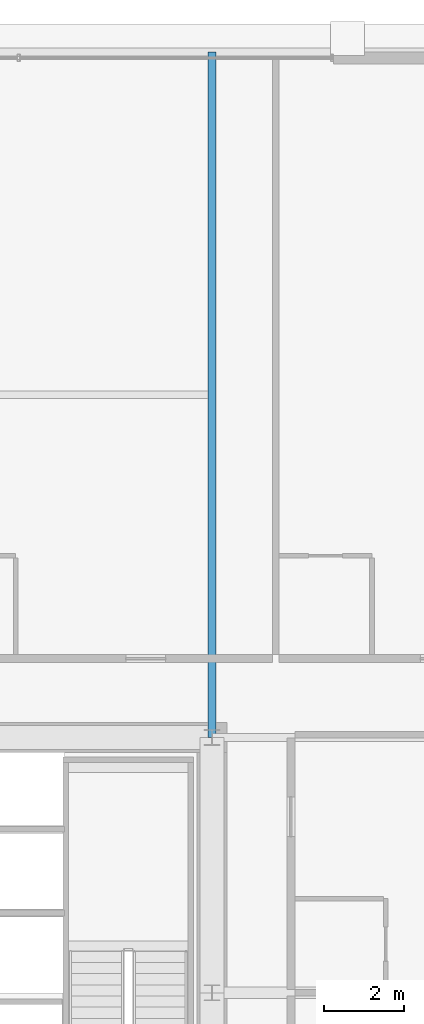
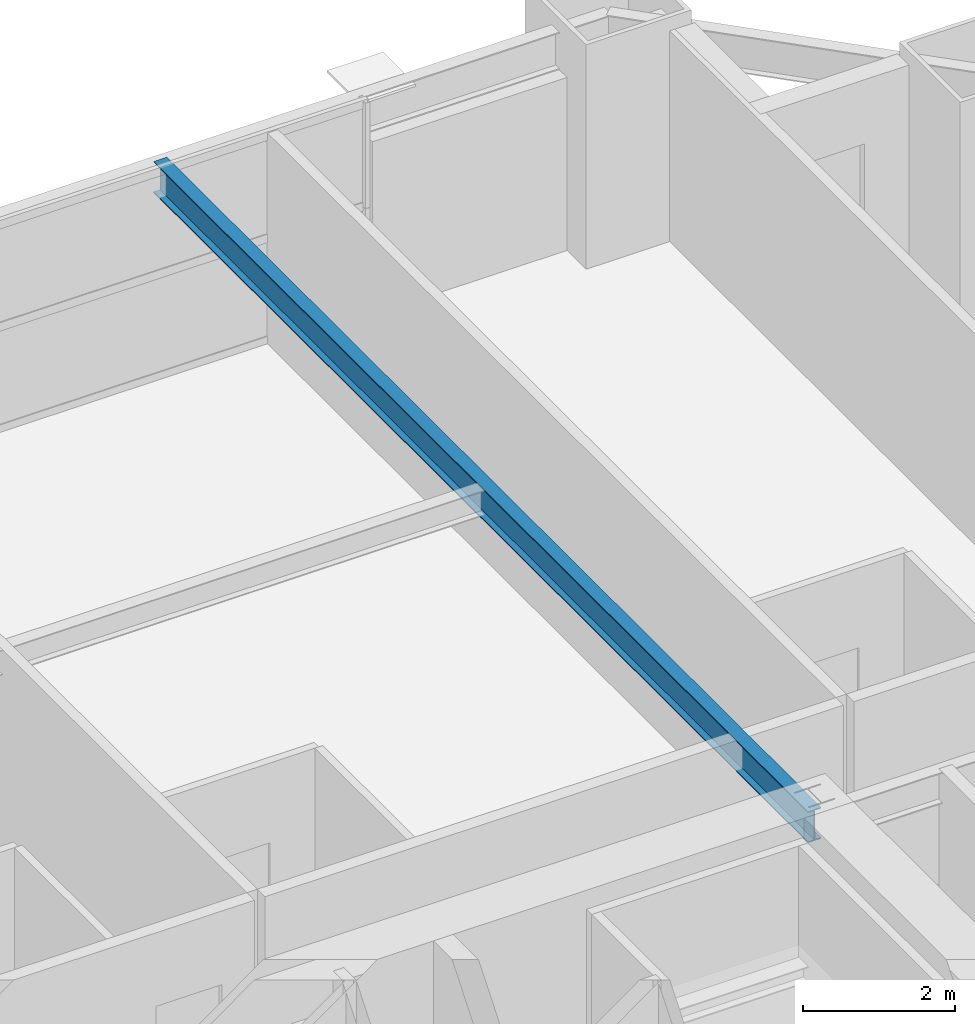
# One storey, part 28 of 39: 1 beam.
"""IFC4 building model written with IfcOpenShell, lengths in metres."""

from ifc_helpers import new_model, si_unit, direction, frame, origin, origin_2d, place, context, subcontext, project, spatial, i_section, extrude, source, transform, mapped, material, material_profile, profile_set, type_object, element, save


model = new_model("IFC4")

# Units and contexts
model_context = context("Model", 3, precision=1e-05, world=origin(), true_north=direction((0.0, 1.0)))
body_context = subcontext(model_context, "Body", "Model", "MODEL_VIEW")
ifc_project = project(units=[si_unit("LENGTHUNIT", "METRE"), si_unit("AREAUNIT", "SQUARE_METRE"), si_unit("VOLUMEUNIT", "CUBIC_METRE"), si_unit("PLANEANGLEUNIT", "RADIAN"), si_unit("MASSUNIT", "GRAM", prefix="KILO"), si_unit("THERMODYNAMICTEMPERATUREUNIT", "KELVIN"), si_unit("POWERUNIT", "WATT")], contexts=[model_context])

# Site, building, storey
site_placement = place(None, origin())
site = spatial("IfcSite", under=ifc_project, at=site_placement, CompositionType="ELEMENT")
building_placement = place(site_placement, origin())
building = spatial("IfcBuilding", under=site, at=building_placement, Name="Yuzanri Waterfront Tower", CompositionType="ELEMENT")
storey_placement = place(building_placement, frame((0.0, 0.0, 148.800048828125)))
storey = spatial("IfcBuildingStorey", under=building, at=storey_placement, Name="L39", CompositionType="ELEMENT", Elevation=148.800048828125)

# Beam
ifc_material = material(Name="Steel Q355B", Category="steel")
ifc_material_profile = material_profile(ifc_material, i_section(OverallWidth=0.199951171875, OverallDepth=0.5, WebThickness=0.010009765625, FlangeThickness=0.01611328125, at=origin_2d()), Name="HN 500x200x10x16")
ifc_profile_set = profile_set([ifc_material_profile], Name="Steel Q355B")
beam_type = type_object("IfcBeamType", Name="Secondary Floor Beam Q355B HN 500x200", PredefinedType="BEAM", material=ifc_profile_set)
shared_shape = source(origin(), body_context, "Body", "SweptSolid", [
    extrude(i_section(OverallWidth=0.199951171875, OverallDepth=0.5, WebThickness=0.010009765625, FlangeThickness=0.01611328125, at=origin_2d()), origin(), (0.0, 0.0, 1.0), 17.199951171875),
])
beam_placement = place(storey_placement, frame((50.199951171875, 32.199951171875, 3.1298828125), z_axis=(0.0, 1.0, 0.0), x_axis=(-1.0, 0.0, 0.0)))
element("IfcBeam", 1, at=beam_placement, inside=storey, type_object=beam_type, Name="L39 North-East Core Line Beam", PredefinedType="BEAM", context=body_context, shape_type="MappedRepresentation", body=[
    mapped(shared_shape, transform((0.0, 0.0, 0.0), scale=1.0)),
])

save(model, "model.ifc")
